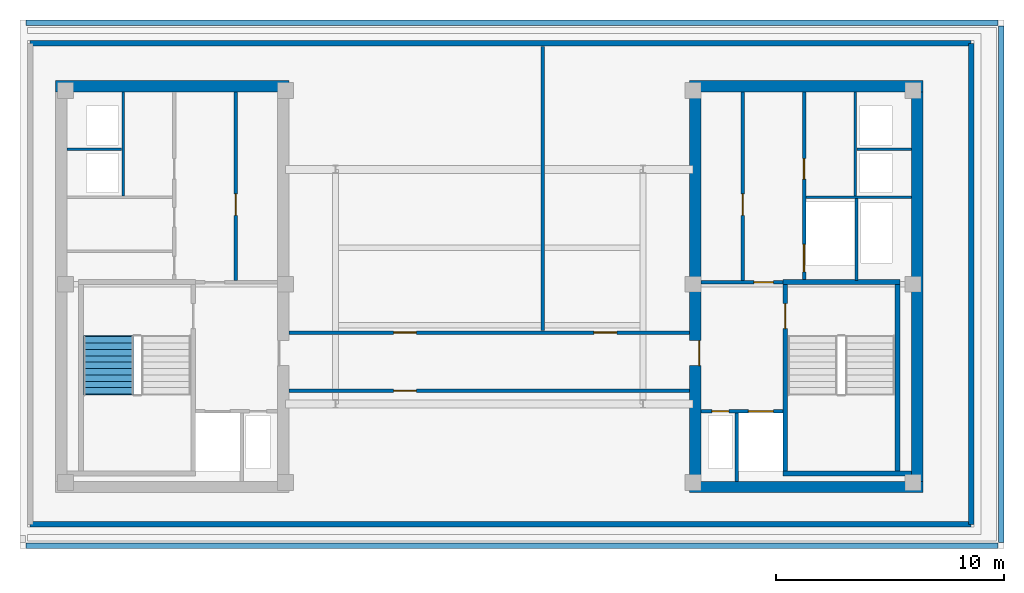
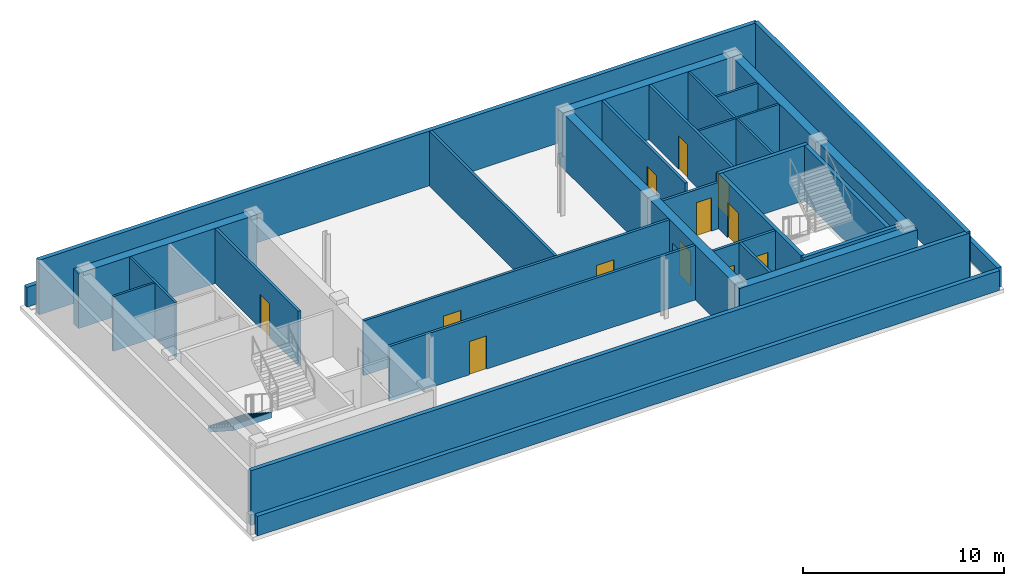
# One storey, part 3 of 5: 30 walls, 12 doors, 1 stair flight, 12 openings, 1 element without a shape of its own.
"""IFC4 building model written with IfcOpenShell, lengths in metres."""

from ifc_helpers import new_model, si_unit, direction, frame, frame_2d, origin, place, context, subcontext, project, spatial, polyline, rectangle, outline, extrude, material, layer, layer_set, type_object, element, fill, aggregate, save


model = new_model("IFC4")

# Units and contexts
model_context = context("Model", 3, precision=1e-05, world=origin(), true_north=direction((0.0, 1.0)))
body_context = subcontext(model_context, "Body", "Model", "MODEL_VIEW")
ifc_project = project(units=[si_unit("LENGTHUNIT", "METRE"), si_unit("AREAUNIT", "SQUARE_METRE"), si_unit("VOLUMEUNIT", "CUBIC_METRE"), si_unit("PLANEANGLEUNIT", "RADIAN"), si_unit("MASSUNIT", "GRAM", prefix="KILO")], contexts=[model_context])

# Site, building, storey
site_placement = place(None, origin())
site = spatial("IfcSite", under=ifc_project, at=site_placement, CompositionType="ELEMENT")
building_placement = place(site_placement, origin())
building = spatial("IfcBuilding", under=site, at=building_placement, Name="Velakula Bourse", CompositionType="ELEMENT")
storey_placement = place(building_placement, frame((0.0, 0.0, 301.35009765625)))
storey = spatial("IfcBuildingStorey", under=building, at=storey_placement, Name="L82", CompositionType="ELEMENT", Elevation=301.35009765625)

# Wall, opening, door
ifc_material_1 = material(Name="Concrete M50 (fck 50 MPa)", Category="concrete")
ifc_layer_1 = layer(ifc_material_1, 0.2099609375, Name="Concrete M50 (fck 50 MPa)", Category="concrete")
ifc_layer_set_1 = layer_set([ifc_layer_1], Name="Concrete M50 (fck 50 MPa)")
wall_type_1 = type_object("IfcWallType", Name="WL-CORE-210", PredefinedType="SHEAR", material=ifc_layer_set_1)
wall_1_placement = place(storey_placement, frame((12.9951171875, -8.10009765625, 0.0), z_axis=(0.0, 0.0, 1.0), x_axis=(0.0, 1.0, 0.0)))
wall_1 = element("IfcWall", 1, at=wall_1_placement, inside=storey, type_object=wall_type_1, Name="L82 Core E Stairwell Shear Wall IN", PredefinedType="SHEAR", context=body_context, shape_type="SweptSolid", body=[
    extrude(rectangle(XDim=8.2001953125, YDim=0.2099609375, at=frame_2d((4.10009765625, 0.0))), origin(), (0.0, 0.0, 1.0), 3.349853515625),
])
opening_1_placement = place(wall_1_placement, frame((6.25, 0.0, 0.0)))
opening_1 = element("IfcOpeningElement", 2, at=opening_1_placement, cuts=wall_1, Name="Opening D-STE1", PredefinedType="OPENING", context=body_context, shape_type="SweptSolid", body=[
    extrude(rectangle(XDim=1.10009765625, YDim=2.14990234375, at=frame_2d((0.550048828125, 1.074951171875))), frame((0.0, 0.114990234375, 0.0), z_axis=(0.0, -1.0, 0.0), x_axis=(1.0, 0.0, 0.0)), (0.0, 0.0, 1.0), 0.22998046875),
])
ifc_material_2 = material(Name="Galvanised painted hollow steel fire door", Category="steel")
door_type_1 = type_object("IfcDoorType", Name="DR-FD120-1100x2150", OperationType="NOTDEFINED", PredefinedType="DOOR", material=ifc_material_2)
door_1_placement = place(opening_1_placement, origin())
door_1 = element("IfcDoor", 3, at=door_1_placement, inside=storey, type_object=door_type_1, Name="L82 Stair ST-E1 Fire Door", OperationType="SINGLE_SWING_RIGHT", OverallHeight=2.14990234375, OverallWidth=1.10009765625, PredefinedType="DOOR", context=body_context, shape_type="SweptSolid", body=[
    extrude(rectangle(XDim=1.10009765625, YDim=2.14990234375, at=frame_2d((0.550048828125, 1.074951171875))), frame((0.0, 0.02490234375, 0.0), z_axis=(0.0, -1.0, 0.0), x_axis=(1.0, 0.0, 0.0)), (0.0, 0.0, 1.0), 0.050048828125),
])
fill(opening_1, door_1)

# Walls
wall_2_placement = place(storey_placement, frame((17.925048828125, -8.10009765625, 0.0), z_axis=(0.0, 0.0, 1.0), x_axis=(0.0, 1.0, 0.0)))
element("IfcWall", 4, at=wall_2_placement, inside=storey, type_object=wall_type_1, Name="L82 Core E Stairwell Shear Wall OUT", PredefinedType="SHEAR", context=body_context, shape_type="SweptSolid", body=[
    extrude(rectangle(XDim=8.2001953125, YDim=0.2099609375, at=frame_2d((4.10009765625, 0.0))), origin(), (0.0, 0.0, 1.0), 3.349853515625),
])
wall_3_placement = place(storey_placement, frame((12.889892578125, -8.205078125, 0.0), z_axis=(0.0, 0.0, 1.0), x_axis=(1.0, 0.0, 0.0)))
element("IfcWall", 5, at=wall_3_placement, inside=storey, type_object=wall_type_1, Name="L82 Core E Stairwell Shear Wall S", PredefinedType="SHEAR", context=body_context, shape_type="SweptSolid", body=[
    extrude(rectangle(XDim=5.66015625, YDim=0.2099609375, at=frame_2d((2.830078125, 0.0))), origin(), (0.0, 0.0, 1.0), 3.349853515625),
])
wall_4_placement = place(storey_placement, frame((18.030029296875, 0.205078125, 0.0), z_axis=(0.0, 0.0, 1.0), x_axis=(-1.0, 0.0, 0.0)))
element("IfcWall", 6, at=wall_4_placement, inside=storey, type_object=wall_type_1, Name="L82 Core E Stairwell Shear Wall N", PredefinedType="SHEAR", context=body_context, shape_type="SweptSolid", body=[
    extrude(rectangle(XDim=5.14013671875, YDim=0.2099609375, at=frame_2d((2.570068359375, 0.0))), origin(), (0.0, 0.0, 1.0), 3.349853515625),
])
ifc_layer_2 = layer(ifc_material_1, 0.5, Name="Concrete M50 (fck 50 MPa)", Category="concrete")
ifc_layer_set_2 = layer_set([ifc_layer_2], Name="Concrete M50 (fck 50 MPa)")
wall_type_2 = type_object("IfcWallType", Name="WL-CORE-500", PredefinedType="SHEAR", material=ifc_layer_set_2)
for number, where, z_axis, x_axis, name in (
    (7, (-19.050048828125, 8.800048828125, 0.0), (0.0, 0.0, 1.0), (1.0, 0.0, 0.0), "L82 Core W Shear Wall N"),
    (8, (8.800048828125, -8.800048828125, 0.0), (0.0, 0.0, 1.0), (1.0, 0.0, 0.0), "L82 Core E Shear Wall S"),
    (9, (8.800048828125, 8.800048828125, 0.0), (0.0, 0.0, 1.0), (1.0, 0.0, 0.0), "L82 Core E Shear Wall N"),
):
    element("IfcWall", number, at=place(storey_placement, frame(where, z_axis=z_axis, x_axis=x_axis)), inside=storey, type_object=wall_type_2, Name=name, PredefinedType="SHEAR", context=body_context, shape_type="SweptSolid", body=[
        extrude(rectangle(XDim=10.25, YDim=0.5, at=frame_2d((5.125, 0.0))), origin(), (0.0, 0.0, 1.0), 3.349853515625),
    ])

# Wall, opening, door
wall_5_placement = place(storey_placement, frame((9.050048828125, -8.550048828125, 0.0), z_axis=(0.0, 0.0, 1.0), x_axis=(0.0, 1.0, 0.0)))
wall_5 = element("IfcWall", 10, at=wall_5_placement, inside=storey, type_object=wall_type_2, Name="L82 Core E Shear Wall W", PredefinedType="SHEAR", context=body_context, shape_type="SweptSolid", body=[
    extrude(rectangle(XDim=17.10009765625, YDim=0.5, at=frame_2d((8.550048828125, 0.0))), origin(), (0.0, 0.0, 1.0), 3.349853515625),
])
opening_2_placement = place(wall_5_placement, frame((5.080078125, 0.0, 0.0)))
opening_2 = element("IfcOpeningElement", 11, at=opening_2_placement, cuts=wall_5, Name="Opening D-FLE", PredefinedType="OPENING", context=body_context, shape_type="SweptSolid", body=[
    extrude(rectangle(XDim=1.10009765625, YDim=2.080078125, at=frame_2d((0.550048828125, 1.0400390625))), frame((0.0, 0.260009765625, 0.0), z_axis=(0.0, -1.0, 0.0), x_axis=(1.0, 0.0, 0.0)), (0.0, 0.0, 1.0), 0.52001953125),
])
door_type_2 = type_object("IfcDoorType", Name="DR-FD120-1100", OperationType="NOTDEFINED", PredefinedType="DOOR", material=ifc_material_2)
door_2_placement = place(opening_2_placement, origin())
door_2 = element("IfcDoor", 12, at=door_2_placement, inside=storey, type_object=door_type_2, Name="L82 Firefighting Lobby E Corridor Fire Door", OperationType="SINGLE_SWING_RIGHT", OverallHeight=2.080078125, OverallWidth=1.10009765625, PredefinedType="DOOR", context=body_context, shape_type="SweptSolid", body=[
    extrude(rectangle(XDim=1.10009765625, YDim=2.080078125, at=frame_2d((0.550048828125, 1.0400390625))), frame((0.0, -0.15478515625, 0.0), z_axis=(0.0, -1.0, 0.0), x_axis=(1.0, 0.0, 0.0)), (0.0, 0.0, 1.0), 0.050048828125),
])
fill(opening_2, door_2)

# Walls
wall_6_placement = place(storey_placement, frame((18.800048828125, -8.550048828125, 0.0), z_axis=(0.0, 0.0, 1.0), x_axis=(0.0, 1.0, 0.0)))
element("IfcWall", 13, at=wall_6_placement, inside=storey, type_object=wall_type_2, Name="L82 Core E Shear Wall E", PredefinedType="SHEAR", context=body_context, shape_type="SweptSolid", body=[
    extrude(rectangle(XDim=17.10009765625, YDim=0.5, at=frame_2d((8.550048828125, 0.0))), origin(), (0.0, 0.0, 1.0), 3.349853515625),
])
ifc_material_3 = material(Name="Buff kilned clay facing brick masonry", Category="masonry")
ifc_layer_3 = layer(ifc_material_3, 0.239990234375, Name="Buff kilned clay facing brick masonry", Category="masonry")
ifc_layer_set_3 = layer_set([ifc_layer_3], Name="Buff kilned clay facing brick masonry")
wall_type_3 = type_object("IfcWallType", Name="WL-EXT-CRN-240", PredefinedType="STANDARD", material=ifc_layer_set_3)
wall_7_placement = place(storey_placement, frame((-20.159912109375, -10.43994140625, 0.0), z_axis=(0.0, 0.0, 1.0), x_axis=(1.0, 0.0, 0.0)))
element("IfcWall", 14, at=wall_7_placement, inside=storey, type_object=wall_type_3, Name="L82 Crown Brick Acoustic Wall S", PredefinedType="STANDARD", context=body_context, shape_type="SweptSolid", body=[
    extrude(rectangle(XDim=41.31982421875, YDim=0.239990234375, at=frame_2d((20.659912109375, 0.0))), origin(), (0.0, 0.0, 1.0), 3.329833984375),
])
wall_8_placement = place(storey_placement, frame((21.159912109375, -10.43994140625, 0.0), z_axis=(0.0, 0.0, 1.0), x_axis=(0.0, 1.0, 0.0)))
element("IfcWall", 15, at=wall_8_placement, inside=storey, type_object=wall_type_3, Name="L82 Crown Brick Acoustic Wall E", PredefinedType="STANDARD", context=body_context, shape_type="SweptSolid", body=[
    extrude(rectangle(XDim=21.119873046875, YDim=0.239990234375, at=frame_2d((10.56005859375, 0.0))), origin(), (0.0, 0.0, 1.0), 3.329833984375),
])
wall_9_placement = place(storey_placement, frame((21.159912109375, 10.679931640625, 0.0), z_axis=(0.0, 0.0, 1.0), x_axis=(-1.0, 0.0, 0.0)))
element("IfcWall", 16, at=wall_9_placement, inside=storey, type_object=wall_type_3, Name="L82 Crown Brick Acoustic Wall N", PredefinedType="STANDARD", context=body_context, shape_type="SweptSolid", body=[
    extrude(rectangle(XDim=41.31982421875, YDim=0.239990234375, at=frame_2d((20.659912109375, 0.0))), origin(), (0.0, 0.0, 1.0), 3.329833984375),
])
ifc_layer_4 = layer(ifc_material_3, 0.25, Name="Buff kilned clay facing brick masonry", Category="masonry")
ifc_layer_set_4 = layer_set([ifc_layer_4], Name="Buff kilned clay facing brick masonry")
wall_type_4 = type_object("IfcWallType", Name="WL-PAR-ROOF-250", PredefinedType="PARAPET", material=ifc_layer_set_4)
wall_10_placement = place(storey_placement, frame((-20.35009765625, 11.580078125, 0.0), z_axis=(0.0, 0.0, 1.0), x_axis=(1.0, 0.0, 0.0)))
element("IfcWall", 17, at=wall_10_placement, inside=storey, type_object=wall_type_4, Name="L82 Closed Roof Perimeter Parapet 1", PredefinedType="PARAPET", context=body_context, shape_type="SweptSolid", body=[
    extrude(rectangle(XDim=42.7001953125, YDim=0.25, at=frame_2d((21.35009765625, 0.0))), origin(), (0.0, 0.0, 1.0), 1.199951171875),
])
wall_11_placement = place(storey_placement, frame((22.47998046875, 11.449951171875, 0.0), z_axis=(0.0, 0.0, 1.0), x_axis=(0.0, -1.0, 0.0)))
element("IfcWall", 18, at=wall_11_placement, inside=storey, type_object=wall_type_4, Name="L82 Closed Roof Perimeter Parapet 2", PredefinedType="PARAPET", context=body_context, shape_type="SweptSolid", body=[
    extrude(rectangle(XDim=22.699951171875, YDim=0.25, at=frame_2d((11.35009765625, 0.0))), origin(), (0.0, 0.0, 1.0), 1.199951171875),
])
wall_12_placement = place(storey_placement, frame((22.35009765625, -11.3798828125, 0.0), z_axis=(0.0, 0.0, 1.0), x_axis=(-1.0, 0.0, 0.0)))
element("IfcWall", 19, at=wall_12_placement, inside=storey, type_object=wall_type_4, Name="L82 Closed Roof Perimeter Parapet 3", PredefinedType="PARAPET", context=body_context, shape_type="SweptSolid", body=[
    extrude(rectangle(XDim=42.7001953125, YDim=0.25, at=frame_2d((21.35009765625, 0.0))), origin(), (0.0, 0.0, 1.0), 1.199951171875),
])
ifc_material_4 = material(Name="Fire-rated double-layer gypsum drywall partition", Category="gypsum")
ifc_layer_5 = layer(ifc_material_4, 0.1201171875, Name="Fire-rated double-layer gypsum drywall partition", Category="gypsum")
ifc_layer_set_5 = layer_set([ifc_layer_5], Name="Fire-rated double-layer gypsum drywall partition")
wall_type_5 = type_object("IfcWallType", Name="WL-PART-120", PredefinedType="STANDARD", material=ifc_layer_set_5)
wall_13_placement = place(storey_placement, frame((-18.550048828125, 6.030029296875, 0.0), z_axis=(0.0, 0.0, 1.0), x_axis=(1.0, 0.0, 0.0)))
element("IfcWall", 20, at=wall_13_placement, inside=storey, type_object=wall_type_5, Name="L82 Interior Partition WL-CRW-L82-RIS-MID", PredefinedType="STANDARD", context=body_context, shape_type="SweptSolid", body=[
    extrude(rectangle(XDim=2.400146484375, YDim=0.1201171875, at=frame_2d((1.2001953125, 0.0))), origin(), (0.0, 0.0, 1.0), 3.329833984375),
])
wall_14_placement = place(storey_placement, frame((-16.074951171875, 3.97998046875, 0.0), z_axis=(0.0, 0.0, 1.0), x_axis=(0.0, 1.0, 0.0)))
element("IfcWall", 21, at=wall_14_placement, inside=storey, type_object=wall_type_5, Name="L82 Interior Partition WL-CRW-L82-RIS-F", PredefinedType="STANDARD", context=body_context, shape_type="SweptSolid", body=[
    extrude(rectangle(XDim=4.570068359375, YDim=0.1201171875, at=frame_2d((2.28515625, 0.0))), origin(), (0.0, 0.0, 1.0), 3.329833984375),
])
wall_15_placement = place(storey_placement, frame((13.89990234375, 3.919921875, 0.0), z_axis=(0.0, 0.0, 1.0), x_axis=(1.0, 0.0, 0.0)))
element("IfcWall", 22, at=wall_15_placement, inside=storey, type_object=wall_type_5, Name="L82 Interior Partition WL-CRE-L82-HI-S", PredefinedType="STANDARD", context=body_context, shape_type="SweptSolid", body=[
    extrude(rectangle(XDim=4.650146484375, YDim=0.1201171875, at=frame_2d((2.3251953125, 0.0))), origin(), (0.0, 0.0, 1.0), 3.329833984375),
])
wall_16_placement = place(storey_placement, frame((16.14990234375, 6.030029296875, 0.0), z_axis=(0.0, 0.0, 1.0), x_axis=(1.0, 0.0, 0.0)))
element("IfcWall", 23, at=wall_16_placement, inside=storey, type_object=wall_type_5, Name="L82 Interior Partition WL-CRE-L82-RIS-MID", PredefinedType="STANDARD", context=body_context, shape_type="SweptSolid", body=[
    extrude(rectangle(XDim=2.400146484375, YDim=0.1201171875, at=frame_2d((1.2001953125, 0.0))), origin(), (0.0, 0.0, 1.0), 3.329833984375),
])
wall_17_placement = place(storey_placement, frame((16.074951171875, 3.97998046875, 0.0), z_axis=(0.0, 0.0, 1.0), x_axis=(0.0, 1.0, 0.0)))
element("IfcWall", 24, at=wall_17_placement, inside=storey, type_object=wall_type_5, Name="L82 Interior Partition WL-CRE-L82-RIS-F", PredefinedType="STANDARD", context=body_context, shape_type="SweptSolid", body=[
    extrude(rectangle(XDim=4.570068359375, YDim=0.1201171875, at=frame_2d((2.28515625, 0.0))), origin(), (0.0, 0.0, 1.0), 3.329833984375),
])
wall_18_placement = place(storey_placement, frame((16.125, 0.27001953125, 0.0), z_axis=(0.0, 0.0, 1.0), x_axis=(0.0, 1.0, 0.0)))
element("IfcWall", 25, at=wall_18_placement, inside=storey, type_object=wall_type_5, Name="L82 Interior Partition WL-CRE-L82-SVL-E", PredefinedType="STANDARD", context=body_context, shape_type="SweptSolid", body=[
    extrude(rectangle(XDim=3.590087890625, YDim=0.1201171875, at=frame_2d((1.794921875, 0.0))), origin(), (0.0, 0.0, 1.0), 3.329833984375),
])

# Wall, opening, door
ifc_material_5 = material(Name="Autoclaved aerated concrete blockwork masonry", Category="masonry")
ifc_layer_6 = layer(ifc_material_5, 0.14990234375, Name="Autoclaved aerated concrete blockwork masonry", Category="masonry")
ifc_layer_set_6 = layer_set([ifc_layer_6], Name="Autoclaved aerated concrete blockwork masonry")
wall_type_6 = type_object("IfcWallType", Name="WL-SHAFT-150", PredefinedType="STANDARD", material=ifc_layer_set_6)
wall_19_placement = place(storey_placement, frame((-11.125, 0.27001953125, 0.0), z_axis=(0.0, 0.0, 1.0), x_axis=(0.0, 1.0, 0.0)))
wall_19 = element("IfcWall", 26, at=wall_19_placement, inside=storey, type_object=wall_type_6, Name="L82 Interior Partition WL-CRW-L82-BANK-F", PredefinedType="STANDARD", context=body_context, shape_type="SweptSolid", body=[
    extrude(rectangle(XDim=8.280029296875, YDim=0.14990234375, at=frame_2d((4.14013671875, 0.0))), origin(), (0.0, 0.0, 1.0), 3.329833984375),
])
opening_3_placement = place(wall_19_placement, frame((2.85009765625, 0.0, 0.0)))
opening_3 = element("IfcOpeningElement", 27, at=opening_3_placement, cuts=wall_19, Name="Opening D-RC4", PredefinedType="OPENING", context=body_context, shape_type="SweptSolid", body=[
    extrude(rectangle(XDim=0.949951171875, YDim=2.050048828125, at=frame_2d((0.47509765625, 1.02490234375))), frame((0.0, 0.0849609375, 0.0), z_axis=(0.0, -1.0, 0.0), x_axis=(1.0, 0.0, 0.0)), (0.0, 0.0, 1.0), 0.169921875),
])
ifc_material_6 = material(Name="Fire-rated hardwood flush architectural door", Category="wood")
door_type_3 = type_object("IfcDoorType", Name="DR-FD60-950x2050", OperationType="NOTDEFINED", PredefinedType="DOOR", material=ifc_material_6)
door_3_placement = place(opening_3_placement, origin())
door_3 = element("IfcDoor", 28, at=door_3_placement, inside=storey, type_object=door_type_3, Name="L82 Reclaimed Multi-Bay Archive Room Door", OperationType="SINGLE_SWING_RIGHT", OverallHeight=2.050048828125, OverallWidth=0.949951171875, PredefinedType="DOOR", context=body_context, shape_type="SweptSolid", body=[
    extrude(rectangle(XDim=0.949951171875, YDim=2.050048828125, at=frame_2d((0.47509765625, 1.02490234375))), frame((0.0, 0.02490234375, 0.0), z_axis=(0.0, -1.0, 0.0), x_axis=(1.0, 0.0, 0.0)), (0.0, 0.0, 1.0), 0.050048828125),
])
fill(opening_3, door_3)

# Wall, openings, doors
wall_20_placement = place(storey_placement, frame((9.300048828125, -5.47509765625, 0.0), z_axis=(0.0, 0.0, 1.0), x_axis=(1.0, 0.0, 0.0)))
wall_20 = element("IfcWall", 29, at=wall_20_placement, inside=storey, type_object=wall_type_6, Name="L82 Interior Partition WL-CRE-L82-FFL-N", PredefinedType="STANDARD", context=body_context, shape_type="SweptSolid", body=[
    extrude(rectangle(XDim=3.594970703125, YDim=0.14990234375, at=frame_2d((1.79736328125, 0.0))), origin(), (0.0, 0.0, 1.0), 3.329833984375),
])
opening_4_placement = place(wall_20_placement, frame((2.074951171875, 0.0, 0.0)))
opening_4 = element("IfcOpeningElement", 30, at=opening_4_placement, cuts=wall_20, Name="Opening LD-FFL-2", PredefinedType="OPENING", context=body_context, shape_type="SweptSolid", body=[
    extrude(rectangle(XDim=1.10009765625, YDim=2.14990234375, at=frame_2d((0.550048828125, 1.074951171875))), frame((0.0, 0.0849609375, 0.0), z_axis=(0.0, -1.0, 0.0), x_axis=(1.0, 0.0, 0.0)), (0.0, 0.0, 1.0), 0.169921875),
])
opening_5_placement = place(wall_20_placement, frame((0.47509765625, 0.0, 0.0)))
opening_5 = element("IfcOpeningElement", 31, at=opening_5_placement, cuts=wall_20, Name="Opening D-RS1", PredefinedType="OPENING", context=body_context, shape_type="SweptSolid", body=[
    extrude(rectangle(XDim=0.75, YDim=2.050048828125, at=frame_2d((0.375, 1.02490234375))), frame((0.0, 0.0849609375, 0.0), z_axis=(0.0, -1.0, 0.0), x_axis=(1.0, 0.0, 0.0)), (0.0, 0.0, 1.0), 0.169921875),
])
door_type_4 = type_object("IfcDoorType", Name="DR-RISER-800", OperationType="NOTDEFINED", PredefinedType="DOOR", material=ifc_material_2)
door_4_placement = place(opening_5_placement, origin())
door_4 = element("IfcDoor", 32, at=door_4_placement, inside=storey, type_object=door_type_4, Name="L82 Fire Riser Access Door", OperationType="SINGLE_SWING_LEFT", OverallHeight=2.050048828125, OverallWidth=0.75, PredefinedType="DOOR", context=body_context, shape_type="SweptSolid", body=[
    extrude(rectangle(XDim=0.75, YDim=2.050048828125, at=frame_2d((0.375, 1.02490234375))), frame((0.0, 0.02490234375, 0.0), z_axis=(0.0, -1.0, 0.0), x_axis=(1.0, 0.0, 0.0)), (0.0, 0.0, 1.0), 0.050048828125),
])
fill(opening_5, door_4)
ifc_material_7 = material(Name="Brushed grade 316 stainless steel", Category="steel")
door_type_5 = type_object("IfcDoorType", Name="DR-SLIDE-FFL-1100", OperationType="DOUBLE_DOOR_SLIDING", PredefinedType="DOOR", material=ifc_material_7)
door_5_placement = place(opening_4_placement, origin())
door_5 = element("IfcDoor", 33, at=door_5_placement, inside=storey, type_object=door_type_5, Name="L82 Firefighting Lift FFL-2 Sliding Landing Door", OperationType="DOUBLE_DOOR_SLIDING", OverallHeight=2.14990234375, OverallWidth=1.10009765625, PredefinedType="DOOR", context=body_context, shape_type="SweptSolid", body=[
    extrude(rectangle(XDim=1.10009765625, YDim=2.14990234375, at=frame_2d((0.550048828125, 1.074951171875))), frame((0.0, 0.02490234375, 0.0), z_axis=(0.0, -1.0, 0.0), x_axis=(1.0, 0.0, 0.0)), (0.0, 0.0, 1.0), 0.050048828125),
])
fill(opening_4, door_5)

# Wall
wall_21_placement = place(storey_placement, frame((10.875, -8.550048828125, 0.0), z_axis=(0.0, 0.0, 1.0), x_axis=(0.0, 1.0, 0.0)))
element("IfcWall", 34, at=wall_21_placement, inside=storey, type_object=wall_type_6, Name="L82 Interior Partition WL-CRE-L82-FR-DIV", PredefinedType="STANDARD", context=body_context, shape_type="SweptSolid", body=[
    extrude(rectangle(XDim=3.0, YDim=0.14990234375, at=frame_2d((1.5, 0.0))), origin(), (0.0, 0.0, 1.0), 3.329833984375),
])

# Wall, opening, door
wall_22_placement = place(storey_placement, frame((9.300048828125, 0.18994140625, 0.0), z_axis=(0.0, 0.0, 1.0), x_axis=(1.0, 0.0, 0.0)))
wall_22 = element("IfcWall", 35, at=wall_22_placement, inside=storey, type_object=wall_type_6, Name="L82 Interior Partition WL-CRE-L82-FF-TOP", PredefinedType="STANDARD", context=body_context, shape_type="SweptSolid", body=[
    extrude(rectangle(XDim=3.58984375, YDim=0.14990234375, at=frame_2d((1.794921875, 0.0))), origin(), (0.0, 0.0, 1.0), 2.824951171875),
])
opening_6_placement = place(wall_22_placement, frame((2.324951171875, 0.0, 0.0)))
opening_6 = element("IfcOpeningElement", 36, at=opening_6_placement, cuts=wall_22, Name="Opening D-FC1", PredefinedType="OPENING", context=body_context, shape_type="SweptSolid", body=[
    extrude(rectangle(XDim=0.85009765625, YDim=2.0400390625, at=frame_2d((0.425048828125, 1.02001953125))), frame((0.0, 0.0849609375, 0.0), z_axis=(0.0, -1.0, 0.0), x_axis=(1.0, 0.0, 0.0)), (0.0, 0.0, 1.0), 0.169921875),
])
door_type_6 = type_object("IfcDoorType", Name="DR-FD120-850", OperationType="NOTDEFINED", PredefinedType="DOOR", material=ifc_material_2)
door_6_placement = place(opening_6_placement, origin())
door_6 = element("IfcDoor", 37, at=door_6_placement, inside=storey, type_object=door_type_6, Name="L82 Firefighting Lobby Link Fire Door", OperationType="SINGLE_SWING_LEFT", OverallHeight=2.0400390625, OverallWidth=0.85009765625, PredefinedType="DOOR", context=body_context, shape_type="SweptSolid", body=[
    extrude(rectangle(XDim=0.85009765625, YDim=2.0400390625, at=frame_2d((0.425048828125, 1.02001953125))), frame((0.0, 0.02490234375, 0.0), z_axis=(0.0, -1.0, 0.0), x_axis=(1.0, 0.0, 0.0)), (0.0, 0.0, 1.0), 0.050048828125),
])
fill(opening_6, door_6)

wall_23_placement = place(storey_placement, frame((11.125, 0.27001953125, 0.0), z_axis=(0.0, 0.0, 1.0), x_axis=(0.0, 1.0, 0.0)))
wall_23 = element("IfcWall", 38, at=wall_23_placement, inside=storey, type_object=wall_type_6, Name="L82 Interior Partition WL-CRE-L82-BANK-F", PredefinedType="STANDARD", context=body_context, shape_type="SweptSolid", body=[
    extrude(rectangle(XDim=8.280029296875, YDim=0.14990234375, at=frame_2d((4.14013671875, 0.0))), origin(), (0.0, 0.0, 1.0), 3.329833984375),
])
opening_7_placement = place(wall_23_placement, frame((2.85009765625, 0.0, 0.0)))
opening_7 = element("IfcOpeningElement", 39, at=opening_7_placement, cuts=wall_23, Name="Opening D-RC5", PredefinedType="OPENING", context=body_context, shape_type="SweptSolid", body=[
    extrude(rectangle(XDim=0.949951171875, YDim=2.050048828125, at=frame_2d((0.47509765625, 1.02490234375))), frame((0.0, 0.0849609375, 0.0), z_axis=(0.0, -1.0, 0.0), x_axis=(1.0, 0.0, 0.0)), (0.0, 0.0, 1.0), 0.169921875),
])
door_7_placement = place(opening_7_placement, origin())
door_7 = element("IfcDoor", 40, at=door_7_placement, inside=storey, type_object=door_type_3, Name="L82 Reclaimed Multi-Bay Depository Room Door", OperationType="SINGLE_SWING_LEFT", OverallHeight=2.050048828125, OverallWidth=0.949951171875, PredefinedType="DOOR", context=body_context, shape_type="SweptSolid", body=[
    extrude(rectangle(XDim=0.949951171875, YDim=2.050048828125, at=frame_2d((0.47509765625, 1.02490234375))), frame((0.0, 0.02490234375, 0.0), z_axis=(0.0, -1.0, 0.0), x_axis=(1.0, 0.0, 0.0)), (0.0, 0.0, 1.0), 0.050048828125),
])
fill(opening_7, door_7)

# Wall, openings, doors
wall_24_placement = place(storey_placement, frame((13.824951171875, 0.27001953125, 0.0), z_axis=(0.0, 0.0, 1.0), x_axis=(0.0, 1.0, 0.0)))
wall_24 = element("IfcWall", 41, at=wall_24_placement, inside=storey, type_object=wall_type_6, Name="L82 Interior Partition WL-CRE-L82-OUT-F", PredefinedType="STANDARD", context=body_context, shape_type="SweptSolid", body=[
    extrude(rectangle(XDim=8.280029296875, YDim=0.14990234375, at=frame_2d((4.14013671875, 0.0))), origin(), (0.0, 0.0, 1.0), 3.329833984375),
])
opening_8_placement = place(wall_24_placement, frame((4.449951171875, 0.0, 0.0)))
opening_8 = element("IfcOpeningElement", 42, at=opening_8_placement, cuts=wall_24, Name="Opening D-RC3", PredefinedType="OPENING", context=body_context, shape_type="SweptSolid", body=[
    extrude(rectangle(XDim=0.89990234375, YDim=2.050048828125, at=frame_2d((0.449951171875, 1.02490234375))), frame((0.0, 0.0849609375, 0.0), z_axis=(0.0, -1.0, 0.0), x_axis=(1.0, 0.0, 0.0)), (0.0, 0.0, 1.0), 0.169921875),
])
opening_9_placement = place(wall_24_placement, frame((0.3798828125, 0.0, 0.0)))
opening_9 = element("IfcOpeningElement", 43, at=opening_9_placement, cuts=wall_24, Name="Opening LD-SVL1", PredefinedType="OPENING", context=body_context, shape_type="SweptSolid", body=[
    extrude(rectangle(XDim=1.199951171875, YDim=2.10009765625, at=frame_2d((0.60009765625, 1.050048828125))), frame((0.0, 0.0849609375, 0.0), z_axis=(0.0, -1.0, 0.0), x_axis=(1.0, 0.0, 0.0)), (0.0, 0.0, 1.0), 0.169921875),
])
door_type_7 = type_object("IfcDoorType", Name="DR-FD60-900", OperationType="NOTDEFINED", PredefinedType="DOOR", material=ifc_material_6)
door_8_placement = place(opening_8_placement, origin())
door_8 = element("IfcDoor", 44, at=door_8_placement, inside=storey, type_object=door_type_7, Name="L82 Crown Lift Machine Plant Room Door", OperationType="SINGLE_SWING_LEFT", OverallHeight=2.050048828125, OverallWidth=0.89990234375, PredefinedType="DOOR", context=body_context, shape_type="SweptSolid", body=[
    extrude(rectangle(XDim=0.89990234375, YDim=2.050048828125, at=frame_2d((0.449951171875, 1.02490234375))), frame((0.0, 0.02490234375, 0.0), z_axis=(0.0, -1.0, 0.0), x_axis=(1.0, 0.0, 0.0)), (0.0, 0.0, 1.0), 0.050048828125),
])
fill(opening_8, door_8)
door_type_8 = type_object("IfcDoorType", Name="DR-SLIDE-LD-1200", OperationType="DOUBLE_DOOR_SLIDING", PredefinedType="DOOR", material=ifc_material_7)
door_9_placement = place(opening_9_placement, origin())
door_9 = element("IfcDoor", 45, at=door_9_placement, inside=storey, type_object=door_type_8, Name="L82 Service Lift SVL-1 Sliding Landing Door", OperationType="DOUBLE_DOOR_SLIDING", OverallHeight=2.10009765625, OverallWidth=1.199951171875, PredefinedType="DOOR", context=body_context, shape_type="SweptSolid", body=[
    extrude(rectangle(XDim=1.199951171875, YDim=2.10009765625, at=frame_2d((0.60009765625, 1.050048828125))), frame((0.0, 0.02490234375, 0.0), z_axis=(0.0, -1.0, 0.0), x_axis=(1.0, 0.0, 0.0)), (0.0, 0.0, 1.0), 0.050048828125),
])
fill(opening_9, door_9)

wall_25_placement = place(storey_placement, frame((-8.800048828125, -2.02001953125, 0.0), z_axis=(0.0, 0.0, 1.0), x_axis=(1.0, 0.0, 0.0)))
wall_25 = element("IfcWall", 46, at=wall_25_placement, inside=storey, type_object=wall_type_6, Name="L82 Interior Partition WL-CRN-L82-N", PredefinedType="STANDARD", context=body_context, shape_type="SweptSolid", body=[
    extrude(rectangle(XDim=17.60009765625, YDim=0.14990234375, at=frame_2d((8.800048828125, 0.0))), origin(), (0.0, 0.0, 1.0), 3.329833984375),
])
opening_10_placement = place(wall_25_placement, frame((4.60009765625, 0.0, 0.0)))
opening_10 = element("IfcOpeningElement", 47, at=opening_10_placement, cuts=wall_25, Name="Opening D-CP3", PredefinedType="OPENING", context=body_context, shape_type="SweptSolid", body=[
    extrude(rectangle(XDim=1.0, YDim=2.02001953125, at=frame_2d((0.5, 1.010009765625))), frame((0.0, 0.0849609375, 0.0), z_axis=(0.0, -1.0, 0.0), x_axis=(1.0, 0.0, 0.0)), (0.0, 0.0, 1.0), 0.169921875),
])
opening_11_placement = place(wall_25_placement, frame((13.39990234375, 0.0, 0.0)))
opening_11 = element("IfcOpeningElement", 48, at=opening_11_placement, cuts=wall_25, Name="Opening D-CP3", PredefinedType="OPENING", context=body_context, shape_type="SweptSolid", body=[
    extrude(rectangle(XDim=1.0, YDim=2.02001953125, at=frame_2d((0.5, 1.010009765625))), frame((0.0, 0.0849609375, 0.0), z_axis=(0.0, -1.0, 0.0), x_axis=(1.0, 0.0, 0.0)), (0.0, 0.0, 1.0), 0.169921875),
])
door_type_9 = type_object("IfcDoorType", Name="DR-FD120-1000x2020", OperationType="NOTDEFINED", PredefinedType="DOOR", material=ifc_material_2)
door_10_placement = place(opening_10_placement, origin())
door_10 = element("IfcDoor", 49, at=door_10_placement, inside=storey, type_object=door_type_9, Name="L82 Heat-Recovery AHU Mechanical Plant Room Door", OperationType="SINGLE_SWING_RIGHT", OverallHeight=2.02001953125, OverallWidth=1.0, PredefinedType="DOOR", context=body_context, shape_type="SweptSolid", body=[
    extrude(rectangle(XDim=1.0, YDim=2.02001953125, at=frame_2d((0.5, 1.010009765625))), frame((0.0, 0.02490234375, 0.0), z_axis=(0.0, -1.0, 0.0), x_axis=(1.0, 0.0, 0.0)), (0.0, 0.0, 1.0), 0.050048828125),
])
fill(opening_10, door_10)
door_11_placement = place(opening_11_placement, origin())
door_11 = element("IfcDoor", 50, at=door_11_placement, inside=storey, type_object=door_type_9, Name="L82 Cooling Tower and Water Tank Room Door", OperationType="SINGLE_SWING_RIGHT", OverallHeight=2.02001953125, OverallWidth=1.0, PredefinedType="DOOR", context=body_context, shape_type="SweptSolid", body=[
    extrude(rectangle(XDim=1.0, YDim=2.02001953125, at=frame_2d((0.5, 1.010009765625))), frame((0.0, 0.02490234375, 0.0), z_axis=(0.0, -1.0, 0.0), x_axis=(1.0, 0.0, 0.0)), (0.0, 0.0, 1.0), 0.050048828125),
])
fill(opening_11, door_11)

# Wall
wall_26_placement = place(storey_placement, frame((2.35009765625, -1.93994140625, 0.0), z_axis=(0.0, 0.0, 1.0), x_axis=(0.0, 1.0, 0.0)))
element("IfcWall", 51, at=wall_26_placement, inside=storey, type_object=wall_type_6, Name="L82 Interior Partition WL-CRN-L82-DIV", PredefinedType="STANDARD", context=body_context, shape_type="SweptSolid", body=[
    extrude(rectangle(XDim=12.47998046875, YDim=0.14990234375, at=frame_2d((6.239990234375, 0.0))), origin(), (0.0, 0.0, 1.0), 3.329833984375),
])

# Wall, opening, door
wall_27_placement = place(storey_placement, frame((-8.800048828125, -4.580078125, 0.0), z_axis=(0.0, 0.0, 1.0), x_axis=(1.0, 0.0, 0.0)))
wall_27 = element("IfcWall", 52, at=wall_27_placement, inside=storey, type_object=wall_type_6, Name="L82 Interior Partition WL-CRN-L82-S", PredefinedType="STANDARD", context=body_context, shape_type="SweptSolid", body=[
    extrude(rectangle(XDim=17.60009765625, YDim=0.14990234375, at=frame_2d((8.800048828125, 0.0))), origin(), (0.0, 0.0, 1.0), 3.329833984375),
])
opening_12_placement = place(wall_27_placement, frame((4.60009765625, 0.0, 0.0)))
opening_12 = element("IfcOpeningElement", 53, at=opening_12_placement, cuts=wall_27, Name="Opening D-CP2", PredefinedType="OPENING", context=body_context, shape_type="SweptSolid", body=[
    extrude(rectangle(XDim=1.0, YDim=2.02001953125, at=frame_2d((0.5, 1.010009765625))), frame((0.0, 0.0849609375, 0.0), z_axis=(0.0, -1.0, 0.0), x_axis=(1.0, 0.0, 0.0)), (0.0, 0.0, 1.0), 0.169921875),
])
door_12_placement = place(opening_12_placement, origin())
door_12 = element("IfcDoor", 54, at=door_12_placement, inside=storey, type_object=door_type_9, Name="L82 Crown Electrical Switchgear Plant Room Door", OperationType="SINGLE_SWING_LEFT", OverallHeight=2.02001953125, OverallWidth=1.0, PredefinedType="DOOR", context=body_context, shape_type="SweptSolid", body=[
    extrude(rectangle(XDim=1.0, YDim=2.02001953125, at=frame_2d((0.5, 1.010009765625))), frame((0.0, 0.02490234375, 0.0), z_axis=(0.0, -1.0, 0.0), x_axis=(1.0, 0.0, 0.0)), (0.0, 0.0, 1.0), 0.050048828125),
])
fill(opening_12, door_12)

# Stair, stair flight
ifc_material_8 = material(Name="Concrete M45 (fck 45 MPa)", Category="concrete")
stair_type = type_object("IfcStairType", Name="STR-DOG-390", PredefinedType="HALF_TURN_STAIR", material=ifc_material_8)
stair_placement = place(storey_placement, origin())
stair = element("IfcStair", 55, at=stair_placement, inside=storey, type_object=stair_type, Name="L82 West Core Exit Stair ST-W1", PredefinedType="HALF_TURN_STAIR")
ifc_layer_7 = layer(ifc_material_8, 0.195068359375, Name="Concrete M45 (fck 45 MPa)", Category="concrete")
ifc_layer_set_7 = layer_set([ifc_layer_7], Name="Concrete M45 (fck 45 MPa)")
stair_flight_type = type_object("IfcStairFlightType", Name="FLT-DOG-390", PredefinedType="STRAIGHT", material=ifc_layer_set_7)
stair_flight_placement = place(storey_placement, frame((-16.720947265625, -2.199951171875, 0.0), z_axis=(0.0, 0.0, 1.0), x_axis=(0.0, -1.0, 0.0)))
stair_flight = element("IfcStairFlight", 56, at=stair_flight_placement, type_object=stair_flight_type, Name="ST-W1 flight 1", NumberOfRisers=10, NumberOfTreads=9, PredefinedType="STRAIGHT", RiserHeight=0.18, TreadLength=0.28, context=body_context, shape_type="SweptSolid", body=[
    extrude(outline(polyline([(-0.044921875, -0.0400390625), (-0.044921875, -0.036865234375), (-0.044921875, -0.033935546875), (-0.044921875, -0.03076171875), (-0.044921875, -0.027587890625), (-0.044921875, -0.024658203125), (-0.044921875, -0.021484375), (-0.044921875, -0.0185546875), (-0.044921875, -0.015380859375), (-0.044921875, -0.01220703125), (-0.044921875, -0.00927734375), (-0.044921875, -0.006103515625), (-0.044921875, -0.003173828125), (-0.044921875, 0.0), (0.0, 0.0), (0.0, 0.179931640625), (0.280029296875, 0.179931640625), (0.280029296875, 0.360107421875), (0.56005859375, 0.360107421875), (0.56005859375, 0.5400390625), (0.840087890625, 0.5400390625), (0.840087890625, 0.719970703125), (1.1201171875, 0.719970703125), (1.1201171875, 0.89990234375), (1.39990234375, 0.89990234375), (1.39990234375, 1.080078125), (1.679931640625, 1.080078125), (1.679931640625, 1.260009765625), (1.9599609375, 1.260009765625), (1.9599609375, 1.43994140625), (2.239990234375, 1.43994140625), (2.239990234375, 1.6201171875), (2.52001953125, 1.6201171875), (2.52001953125, 1.800048828125), (2.56494140625, 1.800048828125), (2.56494140625, 1.7744140625), (2.56494140625, 1.748779296875), (2.56494140625, 1.72314453125), (2.56494140625, 1.69775390625), (2.56494140625, 1.672119140625), (2.56494140625, 1.646484375), (2.56494140625, 1.620849609375), (2.56494140625, 1.59521484375), (2.56494140625, 1.56982421875), (2.56494140625, 1.544189453125), (2.56494140625, 1.5185546875), (2.56494140625, 1.492919921875), (2.56494140625, 1.46728515625), (2.56494140625, 1.44189453125), (0.277099609375, -0.0400390625), (-0.044921875, -0.0400390625)])), frame((0.0, 1.09912109375, 0.0), z_axis=(0.0, -1.0, 0.0), x_axis=(1.0, 0.0, 0.0)), (0.0, 0.0, 1.0), 2.197998046875),
])
aggregate(stair, [stair_flight])

save(model, "model.ifc")
